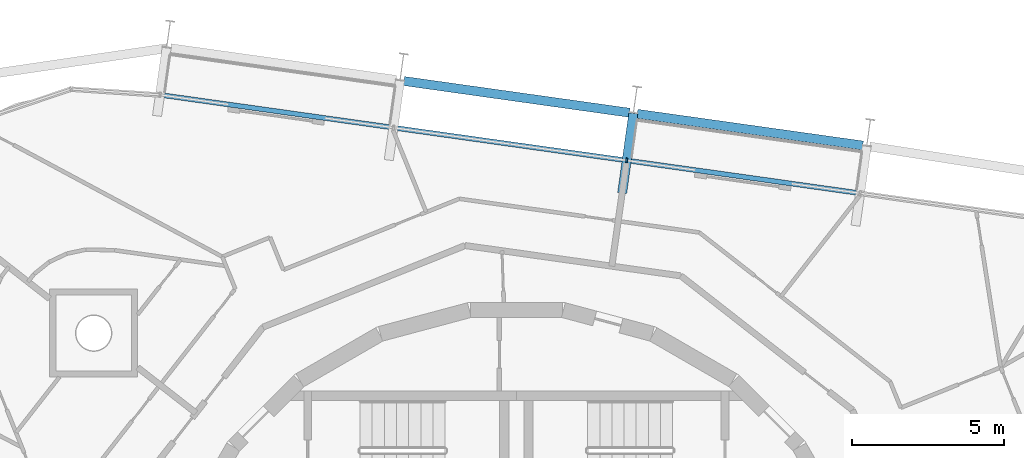
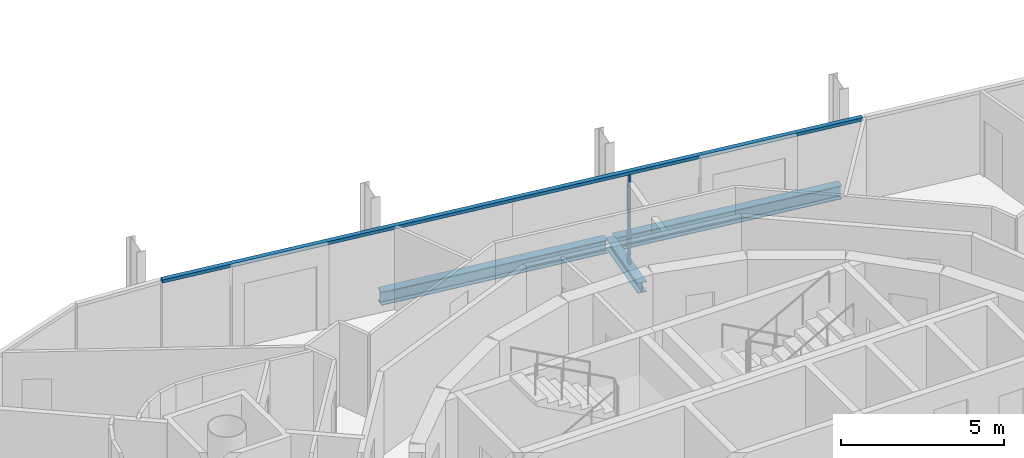
# One storey, part 6 of 15: 3 beams, 2 members, 1 element without a shape of its own.
"""IFC4 building model written with IfcOpenShell, lengths in metres."""

from ifc_helpers import new_model, si_unit, direction, frame, origin, origin_2d, place, context, subcontext, project, spatial, rectangle, i_section, extrude, material, layer, layer_set, material_profile, profile_set, type_object, element, aggregate, save


model = new_model("IFC4")

# Units and contexts
model_context = context("Model", 3, precision=1e-05, world=origin(), true_north=direction((0.0, 1.0)))
body_context = subcontext(model_context, "Body", "Model", "MODEL_VIEW")
ifc_project = project(units=[si_unit("LENGTHUNIT", "METRE"), si_unit("AREAUNIT", "SQUARE_METRE"), si_unit("VOLUMEUNIT", "CUBIC_METRE"), si_unit("PLANEANGLEUNIT", "RADIAN"), si_unit("MASSUNIT", "GRAM", prefix="KILO")], contexts=[model_context])

# Site, building, storey
site_placement = place(None, origin())
site = spatial("IfcSite", under=ifc_project, at=site_placement, CompositionType="ELEMENT")
building_placement = place(site_placement, origin())
building = spatial("IfcBuilding", under=site, at=building_placement, Name="Spindle Arch Residences", CompositionType="ELEMENT")
storey_placement = place(building_placement, frame((0.0, 0.0, 343.5)))
storey = spatial("IfcBuildingStorey", under=building, at=storey_placement, Name="L88", CompositionType="ELEMENT", Elevation=343.5)

# Curtain wall, members
ifc_material_1 = material(Name="Aluminium bronze unitised frame with tinted glass", Category="aluminium")
ifc_layer = layer(ifc_material_1, 0.159912109375)
ifc_layer_set = layer_set([ifc_layer], Name="CW-C typical residential unitised wall")
curtain_wall_type = type_object("IfcCurtainWallType", Name="CW-C typical residential unitised wall", PredefinedType="NOTDEFINED", material=ifc_layer_set)
curtain_wall_placement = place(storey_placement, origin())
curtain_wall = element("IfcCurtainWall", 1, at=curtain_wall_placement, inside=storey, type_object=curtain_wall_type, Name="CW-C L88 run 2", PredefinedType="NOTDEFINED")
ifc_material_2 = material(Name="Aluminium bronze anodised mullion", Category="aluminium")
ifc_material_profile_1 = material_profile(ifc_material_2, rectangle(XDim=0.159912109375, YDim=0.06005859375, at=origin_2d()), Name="MU 60x160")
ifc_profile_set_1 = profile_set([ifc_material_profile_1], Name="Aluminium bronze anodised mullion")
member_type_1 = type_object("IfcMemberType", Name="Bronze mullion 60x160", PredefinedType="MULLION", material=ifc_profile_set_1)
member_1_placement = place(storey_placement, frame((3.63623046875, 16.57373046875, -0.3798828125), z_axis=(0.0, 0.0, 1.0), x_axis=(-0.13917310096, -0.990268068742, 0.0)))
member_1 = element("IfcMember", 2, at=member_1_placement, type_object=member_type_1, Name="CW-C mullion 06", PredefinedType="MULLION", context=body_context, shape_type="SweptSolid", body=[
    extrude(rectangle(XDim=0.159912109375, YDim=0.06005859375, at=origin_2d()), origin(), (0.0, 0.0, 1.0), 3.3798828125),
])
ifc_material_3 = material(Name="Aluminium bronze anodised transom", Category="aluminium")
ifc_material_profile_2 = material_profile(ifc_material_3, rectangle(XDim=0.159912109375, YDim=0.1201171875, at=origin_2d()), Name="TR 120x160")
ifc_profile_set_2 = profile_set([ifc_material_profile_2], Name="Aluminium bronze anodised transom")
member_type_2 = type_object("IfcMemberType", Name="Bronze transom 120x160", PredefinedType="USERDEFINED", material=ifc_profile_set_2)
member_2_placement = place(storey_placement, frame((11.296630859375, 15.4970703125, 3.06005859375), z_axis=(-0.990268437621, 0.13917047622, 0.0), x_axis=(-0.13917047622, -0.990268437621, 0.0)))
member_2 = element("IfcMember", 3, at=member_2_placement, type_object=member_type_2, Name="CW-C transom 00", ObjectType="TRANSOM", PredefinedType="USERDEFINED", context=body_context, shape_type="SweptSolid", body=[
    extrude(rectangle(XDim=0.159912109375, YDim=0.1201171875, at=origin_2d()), origin(), (0.0, 0.0, 1.0), 23.23681640625),
])
aggregate(curtain_wall, [member_2, member_1])

# Beams
ifc_material_4 = material(Name="Steel S460ML, intumescent coating R 120", Category="steel")
ifc_material_profile_3 = material_profile(ifc_material_4, i_section(OverallWidth=0.300048828125, OverallDepth=0.5, WebThickness=0.014404296875, FlangeThickness=0.028076171875, FilletRadius=0.027099609375, at=origin_2d()), Name="HEB 500")
ifc_profile_set_3 = profile_set([ifc_material_profile_3], Name="Steel S460ML, intumescent coating R 120")
beam_type_1 = type_object("IfcBeamType", Name="Exoskeleton edge beam HEB 500", PredefinedType="BEAM", material=ifc_profile_set_3)
for number, where, z_axis, x_axis, name in (
    (4, (11.416015625, 17.065673828125, -0.6298828125), (-0.990266388354, 0.139185057015, 0.0), (-0.139185057015, -0.990266388354, 0.0), "Exoskeleton edge beam 6"),
    (5, (3.72607421875, 18.146484375, -0.6298828125), (-0.990270871131, 0.139153159463, 0.0), (-0.139153159463, -0.990270871131, 0.0), "Exoskeleton edge beam 7"),
):
    element("IfcBeam", number, at=place(storey_placement, frame(where, z_axis=z_axis, x_axis=x_axis)), inside=storey, type_object=beam_type_1, Name=name, PredefinedType="BEAM", context=body_context, shape_type="SweptSolid", body=[
        extrude(i_section(OverallWidth=0.300048828125, OverallDepth=0.5, WebThickness=0.014404296875, FlangeThickness=0.028076171875, FilletRadius=0.027099609375, at=origin_2d()), origin(), (0.0, 0.0, 1.0), 7.505615234375),
    ])
ifc_material_5 = material(Name="Steel S460ML, intumescent coating R 120", Category="steel")
ifc_material_profile_4 = material_profile(ifc_material_5, i_section(OverallWidth=0.300048828125, OverallDepth=0.389892578125, WebThickness=0.010986328125, FlangeThickness=0.01904296875, FilletRadius=0.027099609375, at=origin_2d()), Name="HEA 400")
ifc_profile_set_4 = profile_set([ifc_material_profile_4], Name="Steel S460ML, intumescent coating R 120")
beam_type_2 = type_object("IfcBeamType", Name="Floor outrigger HEA 400", PredefinedType="BEAM", material=ifc_profile_set_4)
beam_placement = place(storey_placement, frame((3.854736328125, 18.12841796875, -0.574951171875), z_axis=(-0.13911226088, -0.990276617351, 0.0), x_axis=(0.990276617351, -0.13911226088, 0.0)))
element("IfcBeam", 6, at=beam_placement, inside=storey, type_object=beam_type_2, Name="Floor outrigger 7", PredefinedType="BEAM", context=body_context, shape_type="SweptSolid", body=[
    extrude(i_section(OverallWidth=0.300048828125, OverallDepth=0.389892578125, WebThickness=0.010986328125, FlangeThickness=0.01904296875, FilletRadius=0.027099609375, at=origin_2d()), origin(), (0.0, 0.0, 1.0), 2.650146484375),
])

save(model, "model.ifc")
